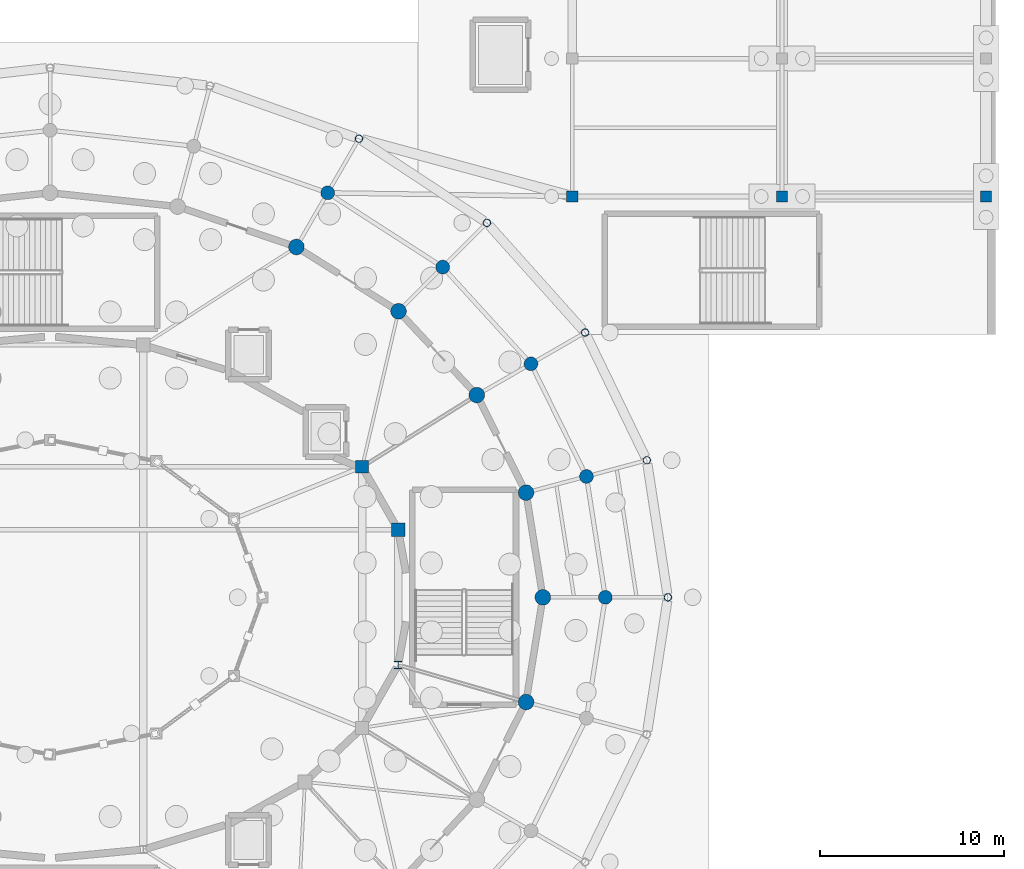
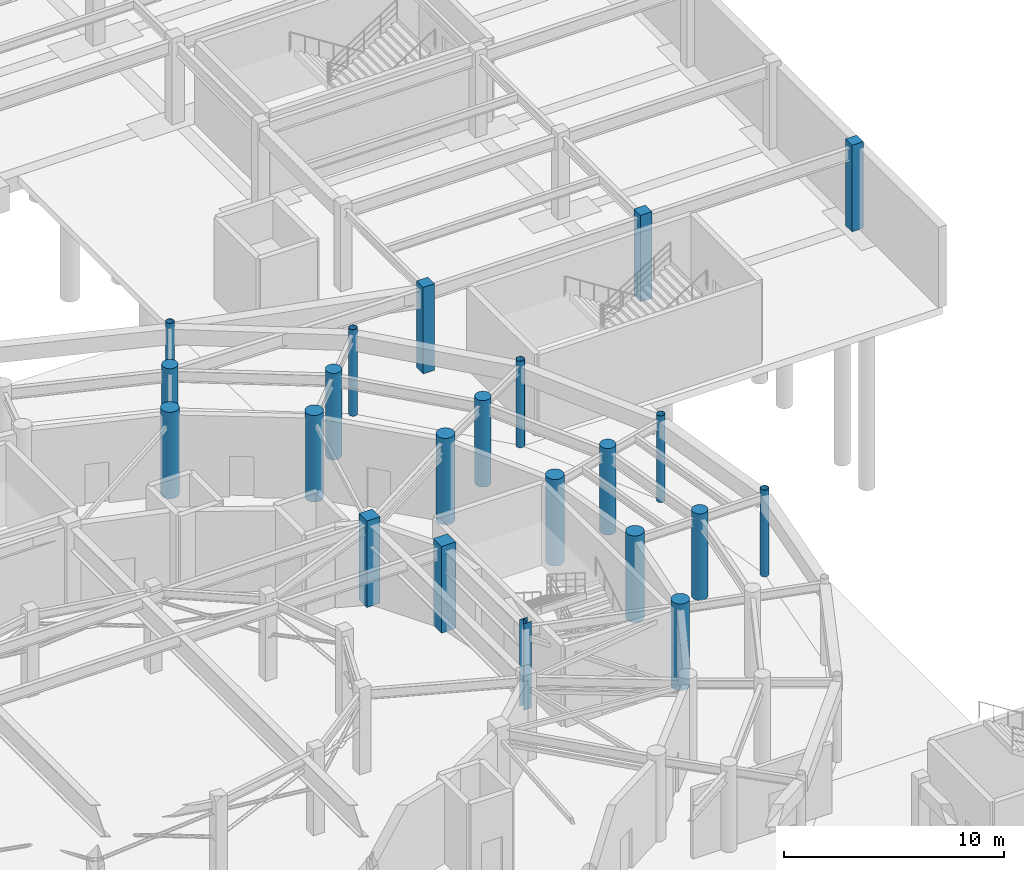
# One storey, part 25 of 68: 22 columns.
"""IFC4 building model written with IfcOpenShell, lengths in metres."""

import ifcopenshell
import ifcopenshell.guid

model = None  # the IFC model being written
_history = None  # IfcOwnerHistory: only IFC2X3 demands one
_inside = {}  # id of a spatial element -> (the spatial element, [elements in it])
_under = {}  # id of a project, library or spatial element -> (it, [spatial elements below it])
_declared = {}  # id of a project -> (the project, [libraries it declares])
_typed = {}  # id of a type object -> (the type object, [elements of that type])
_made_of = {}  # id of a material, layer set ... -> (it, [elements and type objects made of it])


def new_model(schema):
    """Start an empty IFC model of exactly this schema.

    Asked for "IFC4X3", IfcOpenShell would pick the latest addendum, in which some entities
    have other attributes; the version numbers below select the first issue.
    IFC2X3 requires an IfcOwnerHistory on every rooted entity: one is made here for all.
    """
    global model, _history
    if schema == "IFC4X3":
        model = ifcopenshell.file(schema_version=(4, 3, 0, 0))
    else:
        model = ifcopenshell.file(schema=schema)
    _inside.clear()
    _under.clear()
    _declared.clear()
    _typed.clear()
    _made_of.clear()
    _history = None
    if model.schema == "IFC2X3":
        org = make("IfcOrganization", Name="unknown")
        user = make(
            "IfcPersonAndOrganization",
            ThePerson=make("IfcPerson", FamilyName="unknown"),
            TheOrganization=org,
        )
        app = make(
            "IfcApplication",
            ApplicationDeveloper=org,
            Version="unknown",
            ApplicationFullName="unknown",
            ApplicationIdentifier="unknown",
        )
        _history = make(
            "IfcOwnerHistory",
            OwningUser=user,
            OwningApplication=app,
            ChangeAction="ADDED",
            CreationDate=0,
        )
    return model


def make(cls, **values):
    """One entity of the class cls with the attributes given. An attribute that is None is left unset."""
    return model.create_entity(
        cls, **{name: value for name, value in values.items() if value is not None}
    )


def rooted(cls, **values):
    """An entity with a GlobalId (a new one), such as an element, a storey or a relation."""
    return make(cls, GlobalId=ifcopenshell.guid.new(), OwnerHistory=_history, **values)


def si_unit(unit_type, name, prefix=None):
    """IfcSIUnit, for example si_unit("LENGTHUNIT", "METRE", prefix="MILLI")."""
    return make("IfcSIUnit", UnitType=unit_type, Prefix=prefix, Name=name)


def assignment(units):
    """IfcUnitAssignment: the units of a project."""
    return None if units is None else make("IfcUnitAssignment", Units=units)


def point(xyz):
    """IfcCartesianPoint."""
    return None if xyz is None else make("IfcCartesianPoint", Coordinates=xyz)


def direction(xyz):
    """IfcDirection."""
    return None if xyz is None else make("IfcDirection", DirectionRatios=xyz)


def frame(location, z_axis=None, x_axis=None):
    """IfcAxis2Placement3D, a coordinate frame: its origin and axes. An axis left out is left unset."""
    return make(
        "IfcAxis2Placement3D",
        Location=point(location),
        Axis=direction(z_axis),
        RefDirection=direction(x_axis),
    )


def frame_2d(location, x_axis=None):
    """IfcAxis2Placement2D, a coordinate frame in the plane: its origin and x axis."""
    return make(
        "IfcAxis2Placement2D", Location=point(location), RefDirection=direction(x_axis)
    )


def origin():
    """The frame at (0, 0, 0) with its axes left unset."""
    return frame((0.0, 0.0, 0.0))


def origin_2d():
    """The frame at (0, 0) in the plane with its x axis left unset."""
    return frame_2d((0.0, 0.0))


def place(relative_to, where):
    """IfcLocalPlacement: puts the frame where relative to a parent placement (None: the world)."""
    return make(
        "IfcLocalPlacement", PlacementRelTo=relative_to, RelativePlacement=where
    )


def context(
    kind, dimensions, precision=None, world=None, true_north=None, identifier=None
):
    """IfcGeometricRepresentationContext, for example the 3D "Model" context."""
    return make(
        "IfcGeometricRepresentationContext",
        ContextIdentifier=identifier,
        ContextType=kind,
        CoordinateSpaceDimension=dimensions,
        Precision=precision,
        WorldCoordinateSystem=world,
        TrueNorth=true_north,
    )


def subcontext(parent, identifier, kind, view, scale=None):
    """IfcGeometricRepresentationSubContext, for example "Body" below "Model"."""
    return make(
        "IfcGeometricRepresentationSubContext",
        ContextIdentifier=identifier,
        ContextType=kind,
        ParentContext=parent,
        TargetScale=scale,
        TargetView=view,
    )


def project(units=None, contexts=None):
    """IfcProject with its units and contexts."""
    return rooted(
        "IfcProject",
        Name="project",
        RepresentationContexts=contexts,
        UnitsInContext=assignment(units),
    )


def spatial(cls, under=None, at=None, **own):
    """A site, building, storey or space (cls), placed at a placement, below another one or the project."""
    s = rooted(cls, ObjectPlacement=at, **own)
    if under is not None:
        _under.setdefault(under.id(), (under, []))[1].append(s)
    return s


def profile(cls, at=None, kind="AREA", **sizes):
    """A parametric profile (cls). Its sizes go by their IFC names, for example OverallWidth=200.0."""
    return make(cls, ProfileType=kind, Position=at, **sizes)


def rectangle(**sizes):
    """IfcRectangleProfileDef."""
    return profile("IfcRectangleProfileDef", **sizes)


def circle(**sizes):
    """IfcCircleProfileDef."""
    return profile("IfcCircleProfileDef", **sizes)


def hollow_circle(**sizes):
    """IfcCircleHollowProfileDef."""
    return profile("IfcCircleHollowProfileDef", **sizes)


def i_section(**sizes):
    """IfcIShapeProfileDef."""
    return profile("IfcIShapeProfileDef", **sizes)


def extrude(swept, where, along, depth):
    """IfcExtrudedAreaSolid: the profile swept, set in the frame where, extruded along a direction by depth."""
    return make(
        "IfcExtrudedAreaSolid",
        SweptArea=swept,
        Position=where,
        ExtrudedDirection=direction(along),
        Depth=depth,
    )


def shape(context_of_items, identifier, shape_type, items):
    """IfcShapeRepresentation: the items that make up one representation, for example the "Body"."""
    return make(
        "IfcShapeRepresentation",
        ContextOfItems=context_of_items,
        RepresentationIdentifier=identifier,
        RepresentationType=shape_type,
        Items=items,
    )


def material(Name=None, Category=None):
    """IfcMaterial."""
    return make("IfcMaterial", Name=Name, Category=Category)


def material_profile(
    of_material, cross_section, Name=None, Category=None, Priority=None
):
    """IfcMaterialProfile: a cross section and its material."""
    return make(
        "IfcMaterialProfile",
        Name=Name,
        Material=of_material,
        Profile=cross_section,
        Priority=Priority,
        Category=Category,
    )


def profile_set(profiles, Name=None, composite=None):
    """IfcMaterialProfileSet."""
    return make(
        "IfcMaterialProfileSet",
        Name=Name,
        MaterialProfiles=profiles,
        CompositeProfile=composite,
    )


def made_of(thing, what):
    """Note that an element or type object is made of a material, layer set ...; save() writes the relation."""
    if what is not None:
        _made_of.setdefault(what.id(), (what, []))[1].append(thing)
    return thing


def type_object(cls, material=None, **own):
    """A type object (cls), such as IfcWallType, which elements share."""
    return made_of(rooted(cls, **own), material)


def element(
    cls,
    number,
    at=None,
    inside=None,
    cuts=None,
    type_object=None,
    material=None,
    context=None,
    identifier="Body",
    shape_type=None,
    held_by="IfcProductDefinitionShape",
    body=None,
    shapes=None,
    **own,
):
    """One element of the class cls, such as IfcWall. Its Tag is "e" and its number.

    at: its placement. inside: the storey or other place that contains it. cuts: it is an
    opening in that element (IfcRelVoidsElement). A single representation is given by context,
    identifier, shape_type and body (its items); several are given by shapes. held_by: the class
    of the entity that holds the representations. save() writes the other relations.
    """
    e = rooted(cls, Tag="e%d" % number, ObjectPlacement=at, **own)
    if body is not None:
        shapes = [shape(context, identifier, shape_type, body)]
    if shapes is not None:
        e.Representation = make(held_by, Representations=shapes)
    if inside is not None:
        _inside.setdefault(inside.id(), (inside, []))[1].append(e)
    if cuts is not None:
        rooted(
            "IfcRelVoidsElement", RelatingBuildingElement=cuts, RelatedOpeningElement=e
        )
    if type_object is not None:
        _typed.setdefault(type_object.id(), (type_object, []))[1].append(e)
    return made_of(e, material)


def aggregate(whole, parts):
    """IfcRelAggregates: a whole, such as a stair, and the parts it consists of."""
    return rooted("IfcRelAggregates", RelatingObject=whole, RelatedObjects=parts)


def save(model, path):
    """Write the relations noted so far, then the file.

    IfcRelAggregates (storeys below a building ...), IfcRelContainedInSpatialStructure (elements
    in a storey), IfcRelDefinesByType, IfcRelAssociatesMaterial and IfcRelDeclares: one each for
    every whole, place, type object, material and project.
    """
    for whole, parts in _under.values():
        aggregate(whole, parts)
    for where, things in _inside.values():
        rooted(
            "IfcRelContainedInSpatialStructure",
            RelatedElements=things,
            RelatingStructure=where,
        )
    for kind, things in _typed.values():
        rooted("IfcRelDefinesByType", RelatedObjects=things, RelatingType=kind)
    for what, things in _made_of.values():
        rooted("IfcRelAssociatesMaterial", RelatedObjects=things, RelatingMaterial=what)
    for by, libraries in _declared.values():
        rooted("IfcRelDeclares", RelatingContext=by, RelatedDefinitions=libraries)
    model.write(path)


model = new_model("IFC4")

# Units and contexts
model_context = context("Model", 3, precision=1e-05, world=origin(), true_north=direction((0.0, 1.0)))
body_context = subcontext(model_context, "Body", "Model", "MODEL_VIEW")
ifc_project = project(units=[si_unit("LENGTHUNIT", "METRE"), si_unit("AREAUNIT", "SQUARE_METRE"), si_unit("VOLUMEUNIT", "CUBIC_METRE"), si_unit("PLANEANGLEUNIT", "RADIAN"), si_unit("MASSUNIT", "GRAM", prefix="KILO")], contexts=[model_context])

# Site, building, storey
site_placement = place(None, origin())
site = spatial("IfcSite", under=ifc_project, at=site_placement, CompositionType="ELEMENT")
building_placement = place(site_placement, origin())
building = spatial("IfcBuilding", under=site, at=building_placement, Name="Cinderbank Siding Concert Hall", CompositionType="ELEMENT")
storey_placement = place(building_placement, frame((0.0, 0.0, -4.800048828125)))
storey = spatial("IfcBuildingStorey", under=building, at=storey_placement, Name="B1", CompositionType="ELEMENT", Elevation=-4.800048828125)

# Columns
ifc_material_1 = material(Name="Structural steel hollow section AS/NZS 1163 Grade C350L0 (350 MPa)", Category="steel")
ifc_material_profile_1 = material_profile(ifc_material_1, hollow_circle(Radius=0.203125, WallThickness=0.01611328125, at=origin_2d()), Name="406.4x16.0CHS", Category="LoadBearing")
ifc_profile_set_1 = profile_set([ifc_material_profile_1], Name="Structural steel hollow section AS/NZS 1163 Grade C350L0 (350 MPa)")
column_type_1 = type_object("IfcColumnType", Name="C-CHS406 406.4x16.0CHS", PredefinedType="COLUMN", material=ifc_profile_set_1)
for number, where, z_axis, x_axis, name in (
    (1, (155.60009765625, 44.0, 0.0), (0.0, 0.0, 1.0), (1.0, 0.0, 0.0), "B1 Column COL-E4-01"),
    (2, (154.455078125, 51.4541015625, 0.0), (0.0, 0.0, 1.0), (1.0, 0.0, 0.0), "B1 Column COL-E4-02"),
    (3, (151.09912109375, 58.39990234375, 0.0), (0.0, 0.0, 1.0), (1.0, 0.0, 0.0), "B1 Column COL-E4-03"),
    (4, (145.759033203125, 64.364990234375, 0.0), (0.0, 0.0, 1.0), (1.0, 0.0, 0.0), "B1 Column COL-E4-04"),
    (5, (138.800048828125, 68.94189453125, 0.0), (0.0, 0.0, 1.0), (1.0, 0.0, 0.0), "B1 Column COL-E4-05"),
):
    element("IfcColumn", number, at=place(storey_placement, frame(where, z_axis=z_axis, x_axis=x_axis)), inside=storey, type_object=column_type_1, Name=name, PredefinedType="COLUMN", context=body_context, shape_type="SweptSolid", body=[
        extrude(hollow_circle(Radius=0.203125, WallThickness=0.01611328125, at=origin_2d()), origin(), (0.0, 0.0, 1.0), 4.800048828125),
    ])
ifc_material_2 = material(Name="Reinforced concrete AS 3600 N50 (50 MPa)", Category="concrete")
ifc_material_profile_2 = material_profile(ifc_material_2, rectangle(XDim=0.60009765625, YDim=0.60009765625, at=origin_2d()), Name="RC-COL-600x600", Category="LoadBearing")
ifc_profile_set_2 = profile_set([ifc_material_profile_2], Name="Reinforced concrete AS 3600 N50 (50 MPa)")
column_type_2 = type_object("IfcColumnType", Name="C-RC600 RC-COL-600x600", PredefinedType="COLUMN", material=ifc_profile_set_2)
for number, where, z_axis, x_axis, name in (
    (6, (150.39990234375, 65.800048828125, 0.0), (0.0, 0.0, 1.0), (1.0, 0.0, 0.0), "B1 Column COL-EL-1-1"),
    (7, (161.800048828125, 65.800048828125, 0.0), (0.0, 0.0, 1.0), (1.0, 0.0, 0.0), "B1 Column COL-EL-2-1"),
    (8, (172.89990234375, 65.800048828125, 0.0), (0.0, 0.0, 1.0), (1.0, 0.0, 0.0), "B1 Column COL-EL-3-1"),
):
    element("IfcColumn", number, at=place(storey_placement, frame(where, z_axis=z_axis, x_axis=x_axis)), inside=storey, type_object=column_type_2, Name=name, PredefinedType="COLUMN", context=body_context, shape_type="SweptSolid", body=[
        extrude(rectangle(XDim=0.60009765625, YDim=0.60009765625, at=origin_2d()), origin(), (0.0, 0.0, 1.0), 4.800048828125),
    ])
ifc_material_profile_3 = material_profile(ifc_material_2, rectangle(XDim=0.699951171875, YDim=0.699951171875, at=origin_2d()), Name="RC-COL-700x700", Category="LoadBearing")
ifc_profile_set_3 = profile_set([ifc_material_profile_3], Name="Reinforced concrete AS 3600 N50 (50 MPa)")
column_type_3 = type_object("IfcColumnType", Name="C-RC700 RC-COL-700x700", PredefinedType="COLUMN", material=ifc_profile_set_3)
column_1_placement = place(storey_placement, frame((138.97412109375, 51.10009765625, 0.0), z_axis=(0.0, 0.0, 1.0), x_axis=(1.0, 0.0, 0.0)))
element("IfcColumn", 9, at=column_1_placement, inside=storey, type_object=column_type_3, Name="B1 Column COL-E1-03", PredefinedType="COLUMN", context=body_context, shape_type="SweptSolid", body=[
    extrude(rectangle(XDim=0.699951171875, YDim=0.699951171875, at=origin_2d()), origin(), (0.0, 0.0, 1.0), 4.800048828125),
])
ifc_material_profile_4 = material_profile(ifc_material_2, rectangle(XDim=0.75, YDim=0.75, at=origin_2d()), Name="RC-COL-750x750", Category="LoadBearing")
ifc_profile_set_4 = profile_set([ifc_material_profile_4], Name="Reinforced concrete AS 3600 N50 (50 MPa)")
column_type_4 = type_object("IfcColumnType", Name="C-RC750 RC-COL-750x750", PredefinedType="COLUMN", material=ifc_profile_set_4)
column_2_placement = place(storey_placement, frame((140.931884765625, 47.675048828125, 0.0), z_axis=(0.0, 0.0, 1.0), x_axis=(1.0, 0.0, 0.0)))
element("IfcColumn", 10, at=column_2_placement, inside=storey, type_object=column_type_4, Name="B1 Column COL-E1-02", PredefinedType="COLUMN", context=body_context, shape_type="SweptSolid", body=[
    extrude(rectangle(XDim=0.75, YDim=0.75, at=origin_2d()), origin(), (0.0, 0.0, 1.0), 4.800048828125),
])
ifc_material_profile_5 = material_profile(ifc_material_2, circle(Radius=0.375, at=origin_2d()), Name="RC-COL-750DIA", Category="LoadBearing")
ifc_profile_set_5 = profile_set([ifc_material_profile_5], Name="Reinforced concrete AS 3600 N50 (50 MPa)")
column_type_5 = type_object("IfcColumnType", Name="C-RCD750 RC-COL-750DIA", PredefinedType="COLUMN", material=ifc_profile_set_5)
for number, where, z_axis, x_axis, name in (
    (11, (152.199951171875, 44.0, 0.0), (0.0, 0.0, 1.0), (1.0, 0.0, 0.0), "B1 Column COL-E3-01"),
    (12, (151.1708984375, 50.573974609375, 0.0), (0.0, 0.0, 1.0), (1.0, 0.0, 0.0), "B1 Column COL-E3-02"),
    (13, (148.154052734375, 56.699951171875, 0.0), (0.0, 0.0, 1.0), (1.0, 0.0, 0.0), "B1 Column COL-E3-03"),
    (14, (143.35498046875, 61.9609375, 0.0), (0.0, 0.0, 1.0), (1.0, 0.0, 0.0), "B1 Column COL-E3-04"),
    (15, (137.10009765625, 65.9970703125, 0.0), (0.0, 0.0, 1.0), (1.0, 0.0, 0.0), "B1 Column COL-E3-05"),
):
    element("IfcColumn", number, at=place(storey_placement, frame(where, z_axis=z_axis, x_axis=x_axis)), inside=storey, type_object=column_type_5, Name=name, PredefinedType="COLUMN", context=body_context, shape_type="SweptSolid", body=[
        extrude(circle(Radius=0.375, at=origin_2d()), origin(), (0.0, 0.0, 1.0), 4.800048828125),
    ])
ifc_material_profile_6 = material_profile(ifc_material_2, circle(Radius=0.425048828125, at=origin_2d()), Name="RC-COL-850DIA", Category="LoadBearing")
ifc_profile_set_6 = profile_set([ifc_material_profile_6], Name="Reinforced concrete AS 3600 N50 (50 MPa)")
column_type_6 = type_object("IfcColumnType", Name="C-RCD850 RC-COL-850DIA", PredefinedType="COLUMN", material=ifc_profile_set_6)
for number, where, z_axis, x_axis, name in (
    (16, (148.800048828125, 44.0, 0.0), (0.0, 0.0, 1.0), (1.0, 0.0, 0.0), "B1 Column COL-E2-01"),
    (17, (147.886962890625, 49.694091796875, 0.0), (0.0, 0.0, 1.0), (1.0, 0.0, 0.0), "B1 Column COL-E2-02"),
    (18, (145.208984375, 55.0, 0.0), (0.0, 0.0, 1.0), (1.0, 0.0, 0.0), "B1 Column COL-E2-03"),
    (19, (140.950927734375, 59.555908203125, 0.0), (0.0, 0.0, 1.0), (1.0, 0.0, 0.0), "B1 Column COL-E2-04"),
    (20, (135.39990234375, 63.052978515625, 0.0), (0.0, 0.0, 1.0), (1.0, 0.0, 0.0), "B1 Column COL-E2-05"),
    (21, (147.886962890625, 38.305908203125, 0.0), (0.0, 0.0, 1.0), (1.0, 0.0, 0.0), "B1 Column COL-E2-24"),
):
    element("IfcColumn", number, at=place(storey_placement, frame(where, z_axis=z_axis, x_axis=x_axis)), inside=storey, type_object=column_type_6, Name=name, PredefinedType="COLUMN", context=body_context, shape_type="SweptSolid", body=[
        extrude(circle(Radius=0.425048828125, at=origin_2d()), origin(), (0.0, 0.0, 1.0), 4.800048828125),
    ])
ifc_material_3 = material(Name="Structural steel welded plate section AS/NZS 3679.2 / AS/NZS 3678 Grade 350 (340 MPa)", Category="steel")
ifc_material_profile_7 = material_profile(ifc_material_3, i_section(OverallWidth=0.39990234375, OverallDepth=0.39990234375, WebThickness=0.01611328125, FlangeThickness=0.02490234375, at=origin_2d()), Name="400WC212", Category="LoadBearing")
ifc_profile_set_7 = profile_set([ifc_material_profile_7], Name="Structural steel welded plate section AS/NZS 3679.2 / AS/NZS 3678 Grade 350 (340 MPa)")
column_type_7 = type_object("IfcColumnType", Name="C-WC400 400WC212", PredefinedType="COLUMN", material=ifc_profile_set_7)
column_3_placement = place(storey_placement, frame((140.931884765625, 40.324951171875, 0.0), z_axis=(0.0, 0.0, 1.0), x_axis=(1.0, 0.0, 0.0)))
element("IfcColumn", 22, at=column_3_placement, inside=storey, type_object=column_type_7, Name="B1 Column COL-E1-24", PredefinedType="COLUMN", context=body_context, shape_type="SweptSolid", body=[
    extrude(i_section(OverallWidth=0.39990234375, OverallDepth=0.39990234375, WebThickness=0.01611328125, FlangeThickness=0.02490234375, at=origin_2d()), origin(), (0.0, 0.0, 1.0), 4.800048828125),
])

save(model, "model.ifc")
